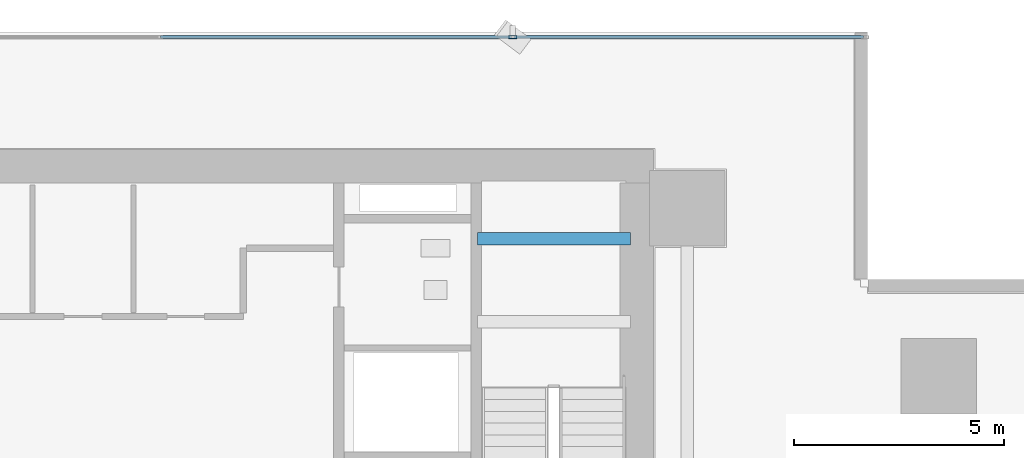
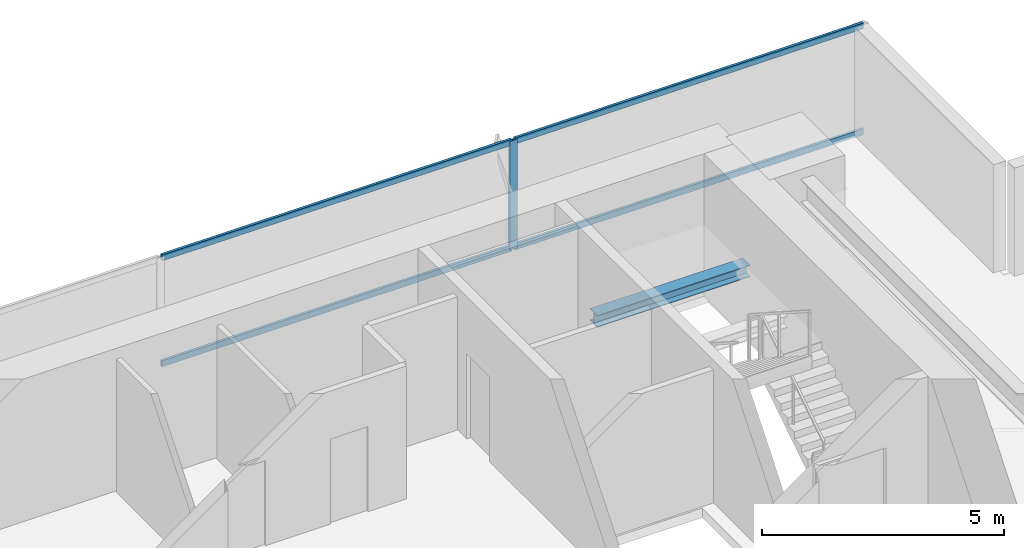
# One storey, part 21 of 32: 5 members, 1 beam, 1 element without a shape of its own.
"""IFC4 building model written with IfcOpenShell, lengths in metres."""

from ifc_helpers import new_model, si_unit, direction, frame, origin, origin_2d, place, context, subcontext, project, spatial, hollow_rectangle, i_section, extrude, source, transform, mapped, material, layer, layer_set, material_profile, profile_set, type_object, element, aggregate, save


model = new_model("IFC4")

# Units and contexts
model_context = context("Model", 3, precision=1e-05, world=origin(), true_north=direction((0.0, 1.0)))
body_context = subcontext(model_context, "Body", "Model", "MODEL_VIEW")
ifc_project = project(units=[si_unit("LENGTHUNIT", "METRE"), si_unit("AREAUNIT", "SQUARE_METRE"), si_unit("VOLUMEUNIT", "CUBIC_METRE"), si_unit("PLANEANGLEUNIT", "RADIAN"), si_unit("MASSUNIT", "GRAM", prefix="KILO")], contexts=[model_context])

# Site, building, storey
site_placement = place(None, origin())
site = spatial("IfcSite", under=ifc_project, at=site_placement, CompositionType="ELEMENT")
building_placement = place(site_placement, origin())
building = spatial("IfcBuilding", under=site, at=building_placement, Name="Sumidabori Civic Tower", CompositionType="ELEMENT")
storey_placement = place(building_placement, frame((0.0, 0.0, 52.39990234375)))
storey = spatial("IfcBuildingStorey", under=building, at=storey_placement, Name="L13", CompositionType="ELEMENT", Elevation=52.39990234375)

# Beam
ifc_material_1 = material(Name="Steel SN490", Category="steel")
ifc_material_profile_1 = material_profile(ifc_material_1, i_section(OverallWidth=0.300048828125, OverallDepth=0.300048828125, WebThickness=0.010986328125, FlangeThickness=0.01904296875, at=origin_2d()), Name="HE 300 B")
ifc_profile_set_1 = profile_set([ifc_material_profile_1], Name="Steel SN490")
beam_type = type_object("IfcBeamType", Name="BM-LDG-300", PredefinedType="BEAM", material=ifc_profile_set_1)
shared_shape_1 = source(origin(), body_context, "Body", "SweptSolid", [
    extrude(i_section(OverallWidth=0.300048828125, OverallDepth=0.300048828125, WebThickness=0.010986328125, FlangeThickness=0.01904296875, at=origin_2d()), origin(), (0.0, 0.0, 1.0), 3.64990234375),
])
beam_placement = place(storey_placement, frame((11.800048828125, 22.069580078125, 1.4501953125), z_axis=(1.0, 0.0, 0.0), x_axis=(0.0, 1.0, 0.0)))
element("IfcBeam", 1, at=beam_placement, inside=storey, type_object=beam_type, Name="Stair ST-2 Landing Trimmer Beam L13-1B", PredefinedType="BEAM", context=body_context, shape_type="MappedRepresentation", body=[
    mapped(shared_shape_1, transform((0.0, 0.0, 0.0), x_axis=(1.0, 0.0, 0.0), y_axis=(0.0, 1.0, 0.0), z_axis=(0.0, 0.0, 1.0), scale=1.0)),
])

# Curtain wall, members
ifc_material_2 = material(Name="Anodised Bronze Aluminium AW-6063-T6", Category="aluminium")
ifc_layer = layer(ifc_material_2, 0.179931640625, Name="Anodised Bronze Aluminium AW-6063-T6")
ifc_layer_set = layer_set([ifc_layer], Name="Anodised Bronze Aluminium AW-6063-T6")
curtain_wall_type = type_object("IfcCurtainWallType", Name="CW-SYS-2", PredefinedType="NOTDEFINED", material=ifc_layer_set)
curtain_wall_placement = place(storey_placement, origin())
curtain_wall = element("IfcCurtainWall", 2, at=curtain_wall_placement, inside=storey, type_object=curtain_wall_type, Name="Curtain Wall CW:L13:R07", PredefinedType="NOTDEFINED")
ifc_material_profile_2 = material_profile(ifc_material_2, hollow_rectangle(XDim=0.070068359375, YDim=0.179931640625, WallThickness=0.006103515625, at=origin_2d()), Name="ALU MULLION 180x70")
ifc_profile_set_2 = profile_set([ifc_material_profile_2], Name="Anodised Bronze Aluminium AW-6063-T6")
member_type_1 = type_object("IfcMemberType", Name="CW-MUL-180", PredefinedType="MULLION", material=ifc_profile_set_2)
shared_shape_2 = source(origin(), body_context, "Body", "SweptSolid", [
    extrude(hollow_rectangle(XDim=0.070068359375, YDim=0.179931640625, WallThickness=0.006103515625, at=origin_2d()), origin(), (0.0, 0.0, 1.0), 2.739990234375),
])
member_1_placement = place(storey_placement, frame((12.64208984375, 26.8798828125, 0.0), z_axis=(0.0, 0.0, 1.0), x_axis=(0.0, -1.0, 0.0)))
member_1 = element("IfcMember", 3, at=member_1_placement, type_object=member_type_1, Name="CW-2 mullion 2", PredefinedType="MULLION", context=body_context, shape_type="MappedRepresentation", body=[
    mapped(shared_shape_2, transform((0.0, 0.0, 0.0), x_axis=(1.0, 0.0, 0.0), y_axis=(0.0, 1.0, 0.0), z_axis=(0.0, 0.0, 1.0), scale=1.0)),
])
ifc_material_profile_3 = material_profile(ifc_material_2, hollow_rectangle(XDim=0.06494140625, YDim=0.14990234375, WallThickness=0.0048828125, at=origin_2d()), Name="ALU TRANSOM 150x65")
ifc_profile_set_3 = profile_set([ifc_material_profile_3], Name="Anodised Bronze Aluminium AW-6063-T6")
member_type_2 = type_object("IfcMemberType", Name="CW-TRN-150", PredefinedType="USERDEFINED", material=ifc_profile_set_3)
shared_shape_3 = source(origin(), body_context, "Body", "SweptSolid", [
    extrude(hollow_rectangle(XDim=0.06494140625, YDim=0.14990234375, WallThickness=0.0048828125, at=origin_2d()), origin(), (0.0, 0.0, 1.0), 8.322998046875),
])
member_2_placement = place(storey_placement, frame((21.0, 26.8798828125, 0.03271484375), z_axis=(-1.0, 0.0, 0.0), x_axis=(0.0, -1.0, 0.0)))
member_2 = element("IfcMember", 4, at=member_2_placement, type_object=member_type_2, Name="CW-2 transom 1.1", ObjectType="TRANSOM", PredefinedType="USERDEFINED", context=body_context, shape_type="MappedRepresentation", body=[
    mapped(shared_shape_3, transform((0.0, 0.0, 0.0), x_axis=(1.0, 0.0, 0.0), y_axis=(0.0, 1.0, 0.0), z_axis=(0.0, 0.0, 1.0), scale=1.0)),
])
member_3_placement = place(storey_placement, frame((21.0, 26.8798828125, 2.70751953125), z_axis=(-1.0, 0.0, 0.0), x_axis=(0.0, -1.0, 0.0)))
member_3 = element("IfcMember", 5, at=member_3_placement, type_object=member_type_2, Name="CW-2 transom 1.2", ObjectType="TRANSOM", PredefinedType="USERDEFINED", context=body_context, shape_type="MappedRepresentation", body=[
    mapped(shared_shape_3, transform((0.0, 0.0, 0.0), x_axis=(1.0, 0.0, 0.0), y_axis=(0.0, 1.0, 0.0), z_axis=(0.0, 0.0, 1.0), scale=1.0)),
])
shared_shape_4 = source(origin(), body_context, "Body", "SweptSolid", [
    extrude(hollow_rectangle(XDim=0.06494140625, YDim=0.14990234375, WallThickness=0.0048828125, at=origin_2d()), origin(), (0.0, 0.0, 1.0), 8.35791015625),
])
member_4_placement = place(storey_placement, frame((12.60693359375, 26.8798828125, 0.03271484375), z_axis=(-1.0, 0.0, 0.0), x_axis=(0.0, -1.0, 0.0)))
member_4 = element("IfcMember", 6, at=member_4_placement, type_object=member_type_2, Name="CW-2 transom 2.1", ObjectType="TRANSOM", PredefinedType="USERDEFINED", context=body_context, shape_type="MappedRepresentation", body=[
    mapped(shared_shape_4, transform((0.0, 0.0, 0.0), x_axis=(1.0, 0.0, 0.0), y_axis=(0.0, 1.0, 0.0), z_axis=(0.0, 0.0, 1.0), scale=1.0)),
])
member_5_placement = place(storey_placement, frame((12.60693359375, 26.8798828125, 2.70751953125), z_axis=(-1.0, 0.0, 0.0), x_axis=(0.0, -1.0, 0.0)))
member_5 = element("IfcMember", 7, at=member_5_placement, type_object=member_type_2, Name="CW-2 transom 2.2", ObjectType="TRANSOM", PredefinedType="USERDEFINED", context=body_context, shape_type="MappedRepresentation", body=[
    mapped(shared_shape_4, transform((0.0, 0.0, 0.0), x_axis=(1.0, 0.0, 0.0), y_axis=(0.0, 1.0, 0.0), z_axis=(0.0, 0.0, 1.0), scale=1.0)),
])
aggregate(curtain_wall, [member_1, member_2, member_3, member_4, member_5])

save(model, "model.ifc")
